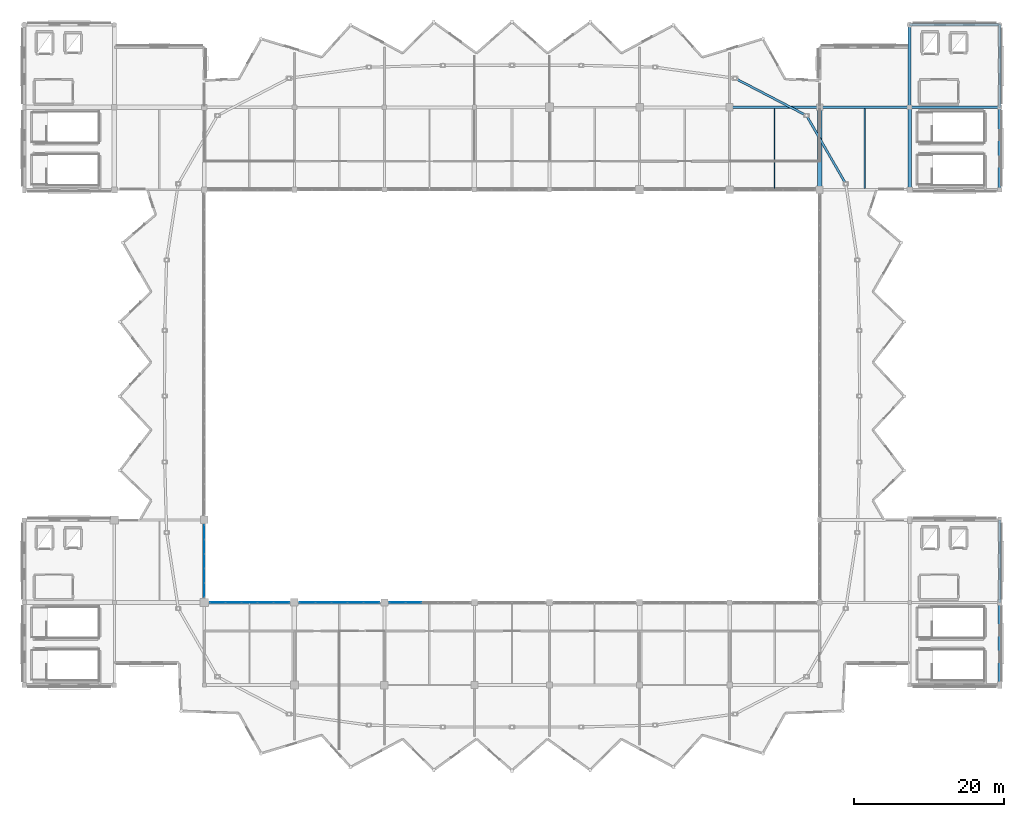
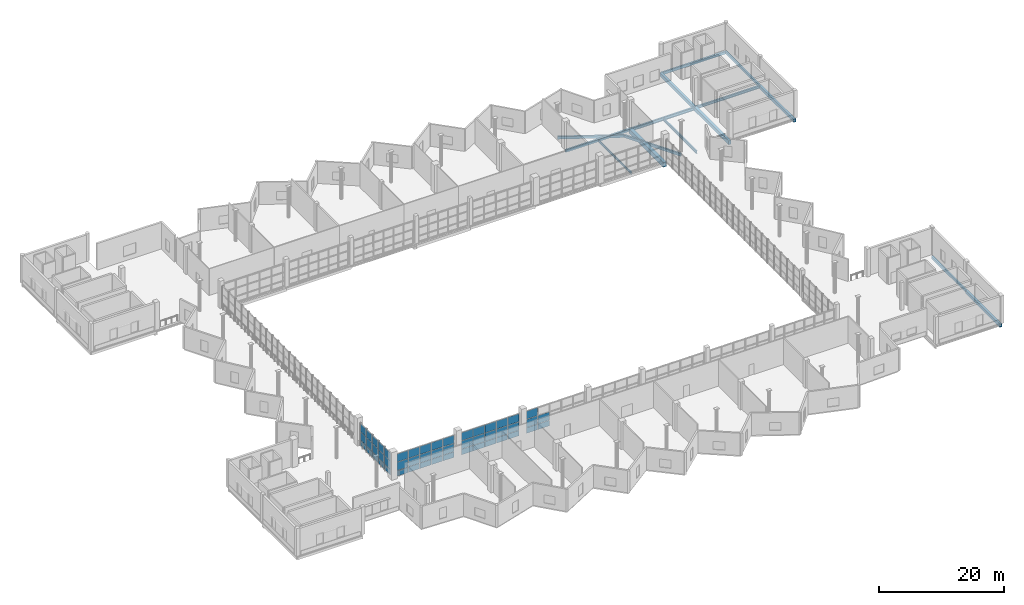
# One storey, part 29 of 49: 50 plates, 15 beams, 4 elements without a shape of their own.
"""IFC4 building model written with IfcOpenShell, lengths in metres."""

from ifc_helpers import new_model, si_unit, direction, frame, origin, origin_2d, place, context, subcontext, project, spatial, rectangle, hollow_rectangle, i_section, extrude, material, layer, layer_set, material_profile, profile_set, type_object, element, aggregate, save


model = new_model("IFC4")

# Units and contexts
model_context = context("Model", 3, precision=1e-05, world=origin(), true_north=direction((0.0, 1.0)))
body_context = subcontext(model_context, "Body", "Model", "MODEL_VIEW")
ifc_project = project(units=[si_unit("LENGTHUNIT", "METRE"), si_unit("AREAUNIT", "SQUARE_METRE"), si_unit("VOLUMEUNIT", "CUBIC_METRE"), si_unit("PLANEANGLEUNIT", "RADIAN"), si_unit("MASSUNIT", "GRAM", prefix="KILO")], contexts=[model_context])

# Site, building, storey
site_placement = place(None, origin())
site = spatial("IfcSite", under=ifc_project, at=site_placement, CompositionType="ELEMENT")
building_placement = place(site_placement, origin())
building = spatial("IfcBuilding", under=site, at=building_placement, Name="Luwafu Chhajja Arena", CompositionType="ELEMENT")
storey_placement = place(building_placement, frame((0.0, 0.0, 24.300048828125)))
storey = spatial("IfcBuildingStorey", under=building, at=storey_placement, Name="L05", CompositionType="ELEMENT", Elevation=24.300048828125)

# Beams
ifc_material_1 = material(Name="Concrete C35/45", Category="concrete")
ifc_material_profile_1 = material_profile(ifc_material_1, rectangle(XDim=0.60009765625, YDim=0.89990234375, at=origin_2d()), Name="RC 600x900")
ifc_profile_set_1 = profile_set([ifc_material_profile_1], Name="Concrete C35/45")
beam_type_1 = type_object("IfcBeamType", Name="Concourse Primary Girder RC 600x900", PredefinedType="BEAM", material=ifc_profile_set_1)
beam_1_placement = place(storey_placement, frame((140.0, 77.0, -0.840087890625), z_axis=(0.0, 1.0, 0.0), x_axis=(-1.0, 0.0, 0.0)))
element("IfcBeam", 1, at=beam_1_placement, inside=storey, type_object=beam_type_1, Name="L05 Grid Beam 13/H-J", PredefinedType="BEAM", context=body_context, shape_type="SweptSolid", body=[
    extrude(rectangle(XDim=0.60009765625, YDim=0.89990234375, at=origin_2d()), origin(), (0.0, 0.0, 1.0), 11.0),
])
ifc_material_2 = material(Name="Steel S355", Category="steel")
ifc_material_profile_2 = material_profile(ifc_material_2, i_section(OverallWidth=0.15283203125, OverallDepth=0.45458984375, WebThickness=0.008056640625, FlangeThickness=0.01318359375, at=origin_2d()), Name="UB 457x152x60")
ifc_profile_set_2 = profile_set([ifc_material_profile_2], Name="Steel S355")
beam_type_2 = type_object("IfcBeamType", Name="Floor Joist UB 457x152x60", PredefinedType="JOIST", material=ifc_profile_set_2)
beam_2_placement = place(storey_placement, frame((134.0, 77.199951171875, -0.617431640625), z_axis=(0.0, 1.0, 0.0), x_axis=(-1.0, 0.0, 0.0)))
element("IfcBeam", 2, at=beam_2_placement, inside=storey, type_object=beam_type_2, Name="L05 Secondary Joist 12-13/H", PredefinedType="JOIST", context=body_context, shape_type="SweptSolid", body=[
    extrude(i_section(OverallWidth=0.15283203125, OverallDepth=0.45458984375, WebThickness=0.008056640625, FlangeThickness=0.01318359375, at=origin_2d()), origin(), (0.0, 0.0, 1.0), 10.650146484375),
])
ifc_material_profile_3 = material_profile(ifc_material_2, i_section(OverallWidth=0.2099609375, OverallDepth=0.53662109375, WebThickness=0.0107421875, FlangeThickness=0.017333984375, at=origin_2d()), Name="UB 533x210x101")
ifc_profile_set_3 = profile_set([ifc_material_profile_3], Name="Steel S355")
beam_type_3 = type_object("IfcBeamType", Name="Floor Joist UB 533x210x101", PredefinedType="JOIST", material=ifc_profile_set_3)
beam_3_placement = place(storey_placement, frame((146.0, 77.14990234375, -0.658447265625), z_axis=(0.0, 1.0, 0.0), x_axis=(-1.0, 0.0, 0.0)))
element("IfcBeam", 3, at=beam_3_placement, inside=storey, type_object=beam_type_3, Name="L05 Secondary Joist 13-14/H", PredefinedType="JOIST", context=body_context, shape_type="SweptSolid", body=[
    extrude(i_section(OverallWidth=0.2099609375, OverallDepth=0.53662109375, WebThickness=0.0107421875, FlangeThickness=0.017333984375, at=origin_2d()), origin(), (0.0, 0.0, 1.0), 10.7001953125),
])
ifc_material_profile_4 = material_profile(ifc_material_2, hollow_rectangle(XDim=0.300048828125, YDim=0.5, WallThickness=0.02001953125, at=origin_2d()), Name="RHS 500x300x20")
ifc_profile_set_4 = profile_set([ifc_material_profile_4], Name="Steel S355")
beam_type_4 = type_object("IfcBeamType", Name="Pleated Drum Spandrel Beam RHS 500x300", PredefinedType="SPANDREL", material=ifc_profile_set_4)
for number, where, z_axis, x_axis, name in (
    (4, (128.0, 88.0, -0.64013671875), (1.0, 0.0, 0.0), (0.0, 1.0, 0.0), "L05 Grid Beam 12-13/J"),
    (5, (152.0, 99.0, -0.64013671875), (1.0, 0.0, 0.0), (0.0, 1.0, 0.0), "L05 Grid Beam 14-15/K"),
):
    element("IfcBeam", number, at=place(storey_placement, frame(where, z_axis=z_axis, x_axis=x_axis)), inside=storey, type_object=beam_type_4, Name=name, PredefinedType="SPANDREL", context=body_context, shape_type="SweptSolid", body=[
        extrude(hollow_rectangle(XDim=0.300048828125, YDim=0.5, WallThickness=0.02001953125, at=origin_2d()), origin(), (0.0, 0.0, 1.0), 12.0),
    ])
for number, where, z_axis, x_axis, name in (
    (6, (164.0, 22.0, -0.64013671875), (0.0, 1.0, 0.0), (-1.0, 0.0, 0.0), "L05 Grid Beam 15/C-D"),
    (7, (164.0, 88.0, -0.64013671875), (0.0, 1.0, 0.0), (-1.0, 0.0, 0.0), "L05 Grid Beam 15/J-K"),
):
    element("IfcBeam", number, at=place(storey_placement, frame(where, z_axis=z_axis, x_axis=x_axis)), inside=storey, type_object=beam_type_4, Name=name, PredefinedType="SPANDREL", context=body_context, shape_type="SweptSolid", body=[
        extrude(hollow_rectangle(XDim=0.300048828125, YDim=0.5, WallThickness=0.02001953125, at=origin_2d()), origin(), (0.0, 0.0, 1.0), 11.0),
    ])
beam_4_placement = place(storey_placement, frame((143.47607421875, 77.805908203125, -0.64013671875), z_axis=(-0.498192671921, 0.867066353657, 0.0), x_axis=(-0.867066353657, -0.498192671921, 0.0)))
element("IfcBeam", 8, at=beam_4_placement, inside=storey, type_object=beam_type_4, Name="L05 Drum Ring Spandrel D04-D05", PredefinedType="SPANDREL", context=body_context, shape_type="SweptSolid", body=[
    extrude(hollow_rectangle(XDim=0.300048828125, YDim=0.5, WallThickness=0.02001953125, at=origin_2d()), origin(), (0.0, 0.0, 1.0), 10.477783203125),
])
beam_5_placement = place(storey_placement, frame((138.256103515625, 86.890869140625, -0.64013671875), z_axis=(-0.886755170812, 0.462239404463, 0.0), x_axis=(-0.462239404463, -0.886755170812, 0.0)))
element("IfcBeam", 9, at=beam_5_placement, inside=storey, type_object=beam_type_4, Name="L05 Drum Ring Spandrel D05-D06", PredefinedType="SPANDREL", context=body_context, shape_type="SweptSolid", body=[
    extrude(hollow_rectangle(XDim=0.300048828125, YDim=0.5, WallThickness=0.02001953125, at=origin_2d()), origin(), (0.0, 0.0, 1.0), 10.756103515625),
])
ifc_material_profile_5 = material_profile(ifc_material_1, rectangle(XDim=0.39990234375, YDim=0.60009765625, at=origin_2d()), Name="RC 400x600")
ifc_profile_set_5 = profile_set([ifc_material_profile_5], Name="Concrete C35/45")
beam_type_5 = type_object("IfcBeamType", Name="Podium Perimeter Spandrel RC 400x600", PredefinedType="SPANDREL", material=ifc_profile_set_5)
for number, where, z_axis, x_axis, name in (
    (10, (164.0, 11.0, -0.68994140625), (0.0, 1.0, 0.0), (-1.0, 0.0, 0.0), "L05 Grid Beam 15/B-C"),
    (11, (164.0, 77.0, -0.68994140625), (0.0, 1.0, 0.0), (-1.0, 0.0, 0.0), "L05 Grid Beam 15/H-J"),
):
    element("IfcBeam", number, at=place(storey_placement, frame(where, z_axis=z_axis, x_axis=x_axis)), inside=storey, type_object=beam_type_5, Name=name, PredefinedType="SPANDREL", context=body_context, shape_type="SweptSolid", body=[
        extrude(rectangle(XDim=0.39990234375, YDim=0.60009765625, at=origin_2d()), origin(), (0.0, 0.0, 1.0), 11.0),
    ])
ifc_material_profile_6 = material_profile(ifc_material_2, i_section(OverallWidth=0.300048828125, OverallDepth=0.5, WebThickness=0.014404296875, FlangeThickness=0.028076171875, at=origin_2d()), Name="HEB 500")
ifc_profile_set_6 = profile_set([ifc_material_profile_6], Name="Steel S355")
beam_type_6 = type_object("IfcBeamType", Name="Steel Atrium Tie Girder HEB 500", PredefinedType="BEAM", material=ifc_profile_set_6)
beam_6_placement = place(storey_placement, frame((152.0, 88.0, -0.64013671875), z_axis=(1.0, 0.0, 0.0), x_axis=(0.0, 1.0, 0.0)))
element("IfcBeam", 12, at=beam_6_placement, inside=storey, type_object=beam_type_6, Name="L05 Grid Beam 14-15/J", PredefinedType="BEAM", context=body_context, shape_type="SweptSolid", body=[
    extrude(i_section(OverallWidth=0.300048828125, OverallDepth=0.5, WebThickness=0.014404296875, FlangeThickness=0.028076171875, at=origin_2d()), origin(), (0.0, 0.0, 1.0), 12.0),
])
ifc_material_profile_7 = material_profile(ifc_material_2, i_section(OverallWidth=0.300048828125, OverallDepth=0.60009765625, WebThickness=0.015380859375, FlangeThickness=0.030029296875, at=origin_2d()), Name="HEB 600")
ifc_profile_set_7 = profile_set([ifc_material_profile_7], Name="Steel S355")
beam_type_7 = type_object("IfcBeamType", Name="Steel Gallery Girder HEB 600", PredefinedType="BEAM", material=ifc_profile_set_7)
beam_7_placement = place(storey_placement, frame((140.0, 88.0, -0.68994140625), z_axis=(1.0, 0.0, 0.0), x_axis=(0.0, 1.0, 0.0)))
element("IfcBeam", 13, at=beam_7_placement, inside=storey, type_object=beam_type_7, Name="L05 Grid Beam 13-14/J", PredefinedType="BEAM", context=body_context, shape_type="SweptSolid", body=[
    extrude(i_section(OverallWidth=0.300048828125, OverallDepth=0.60009765625, WebThickness=0.015380859375, FlangeThickness=0.030029296875, at=origin_2d()), origin(), (0.0, 0.0, 1.0), 12.0),
])
ifc_material_profile_8 = material_profile(ifc_material_1, rectangle(XDim=0.39990234375, YDim=0.699951171875, at=origin_2d()), Name="RC 400x700")
ifc_profile_set_8 = profile_set([ifc_material_profile_8], Name="Concrete C35/45")
beam_type_8 = type_object("IfcBeamType", Name="Wing Frame Beam RC 400x700", PredefinedType="BEAM", material=ifc_profile_set_8)
beam_8_placement = place(storey_placement, frame((152.0, 88.0, -0.739990234375), z_axis=(0.0, 1.0, 0.0), x_axis=(-1.0, 0.0, 0.0)))
element("IfcBeam", 14, at=beam_8_placement, inside=storey, type_object=beam_type_8, Name="L05 Grid Beam 14/J-K", PredefinedType="BEAM", context=body_context, shape_type="SweptSolid", body=[
    extrude(rectangle(XDim=0.39990234375, YDim=0.699951171875, at=origin_2d()), origin(), (0.0, 0.0, 1.0), 11.0),
])
ifc_material_profile_9 = material_profile(ifc_material_1, rectangle(XDim=0.449951171875, YDim=0.75, at=origin_2d()), Name="RC 450x750")
ifc_profile_set_9 = profile_set([ifc_material_profile_9], Name="Concrete C35/45")
beam_type_9 = type_object("IfcBeamType", Name="Wing Primary Beam RC 450x750", PredefinedType="BEAM", material=ifc_profile_set_9)
beam_9_placement = place(storey_placement, frame((152.0, 77.0, -0.76513671875), z_axis=(0.0, 1.0, 0.0), x_axis=(-1.0, 0.0, 0.0)))
element("IfcBeam", 15, at=beam_9_placement, inside=storey, type_object=beam_type_9, Name="L05 Grid Beam 14/H-J", PredefinedType="BEAM", context=body_context, shape_type="SweptSolid", body=[
    extrude(rectangle(XDim=0.449951171875, YDim=0.75, at=origin_2d()), origin(), (0.0, 0.0, 1.0), 11.0),
])

# Curtain wall, plates
ifc_material_3 = material(Name="Anodised bronze aluminium", Category="aluminium")
curtain_wall_type = type_object("IfcCurtainWallType", Name="VIP Club Terrace Curtain Wall", PredefinedType="USERDEFINED", material=ifc_material_3)
curtain_wall_1_placement = place(storey_placement, origin())
curtain_wall_1 = element("IfcCurtainWall", 16, at=curtain_wall_1_placement, inside=storey, type_object=curtain_wall_type, Name="L05 Bowl Viewing Curtain Wall CWR-L05-01", ObjectType="CURTAIN WALL", PredefinedType="USERDEFINED")
ifc_material_4 = material(Name="Solar-control laminated glass", Category="glass")
ifc_layer = layer(ifc_material_4, 0.035888671875, Name="Solar-control laminated glass")
ifc_layer_set = layer_set([ifc_layer], Name="Solar-control laminated glass")
plate_type = type_object("IfcPlateType", Name="Acoustic Broadcast Double Glazed CW Panel 36", PredefinedType="CURTAIN_PANEL", material=ifc_layer_set)
plate_1_placement = place(storey_placement, frame((59.773193359375, 22.0, 0.06494140625), z_axis=(0.0, 0.0, 1.0), x_axis=(1.0, 0.0, 0.0)))
plate_1 = element("IfcPlate", 17, at=plate_1_placement, type_object=plate_type, Name="CW-10 panel 1.1", PredefinedType="CURTAIN_PANEL", context=body_context, shape_type="SweptSolid", body=[
    extrude(rectangle(XDim=2.03662109375, YDim=0.035888671875, at=origin_2d()), origin(), (0.0, 0.0, 1.0), 1.052490234375),
])
plate_2_placement = place(storey_placement, frame((59.773193359375, 22.0, 1.182373046875), z_axis=(0.0, 0.0, 1.0), x_axis=(1.0, 0.0, 0.0)))
plate_2 = element("IfcPlate", 18, at=plate_2_placement, type_object=plate_type, Name="CW-10 panel 1.2", PredefinedType="CURTAIN_PANEL", context=body_context, shape_type="SweptSolid", body=[
    extrude(rectangle(XDim=2.03662109375, YDim=0.035888671875, at=origin_2d()), origin(), (0.0, 0.0, 1.0), 1.5849609375),
])
plate_3_placement = place(storey_placement, frame((59.773193359375, 22.0, 2.83251953125), z_axis=(0.0, 0.0, 1.0), x_axis=(1.0, 0.0, 0.0)))
plate_3 = element("IfcPlate", 19, at=plate_3_placement, type_object=plate_type, Name="CW-10 panel 1.3", PredefinedType="CURTAIN_PANEL", context=body_context, shape_type="SweptSolid", body=[
    extrude(rectangle(XDim=2.03662109375, YDim=0.035888671875, at=origin_2d()), origin(), (0.0, 0.0, 1.0), 1.552490234375),
])
plate_4_placement = place(storey_placement, frame((61.89111328125, 22.0, 0.06494140625), z_axis=(0.0, 0.0, 1.0), x_axis=(1.0, 0.0, 0.0)))
plate_4 = element("IfcPlate", 20, at=plate_4_placement, type_object=plate_type, Name="CW-10 panel 2.1", PredefinedType="CURTAIN_PANEL", context=body_context, shape_type="SweptSolid", body=[
    extrude(rectangle(XDim=2.069091796875, YDim=0.035888671875, at=origin_2d()), origin(), (0.0, 0.0, 1.0), 1.052490234375),
])
plate_5_placement = place(storey_placement, frame((61.89111328125, 22.0, 1.182373046875), z_axis=(0.0, 0.0, 1.0), x_axis=(1.0, 0.0, 0.0)))
plate_5 = element("IfcPlate", 21, at=plate_5_placement, type_object=plate_type, Name="CW-10 panel 2.2", PredefinedType="CURTAIN_PANEL", context=body_context, shape_type="SweptSolid", body=[
    extrude(rectangle(XDim=2.069091796875, YDim=0.035888671875, at=origin_2d()), origin(), (0.0, 0.0, 1.0), 1.5849609375),
])
plate_6_placement = place(storey_placement, frame((61.89111328125, 22.0, 2.83251953125), z_axis=(0.0, 0.0, 1.0), x_axis=(1.0, 0.0, 0.0)))
plate_6 = element("IfcPlate", 22, at=plate_6_placement, type_object=plate_type, Name="CW-10 panel 2.3", PredefinedType="CURTAIN_PANEL", context=body_context, shape_type="SweptSolid", body=[
    extrude(rectangle(XDim=2.069091796875, YDim=0.035888671875, at=origin_2d()), origin(), (0.0, 0.0, 1.0), 1.552490234375),
])
plate_7_placement = place(storey_placement, frame((64.02490234375, 22.0, 0.06494140625), z_axis=(0.0, 0.0, 1.0), x_axis=(1.0, 0.0, 0.0)))
plate_7 = element("IfcPlate", 23, at=plate_7_placement, type_object=plate_type, Name="CW-10 panel 3.1", PredefinedType="CURTAIN_PANEL", context=body_context, shape_type="SweptSolid", body=[
    extrude(rectangle(XDim=2.069091796875, YDim=0.035888671875, at=origin_2d()), origin(), (0.0, 0.0, 1.0), 1.052490234375),
])
plate_8_placement = place(storey_placement, frame((64.02490234375, 22.0, 1.182373046875), z_axis=(0.0, 0.0, 1.0), x_axis=(1.0, 0.0, 0.0)))
plate_8 = element("IfcPlate", 24, at=plate_8_placement, type_object=plate_type, Name="CW-10 panel 3.2", PredefinedType="CURTAIN_PANEL", context=body_context, shape_type="SweptSolid", body=[
    extrude(rectangle(XDim=2.069091796875, YDim=0.035888671875, at=origin_2d()), origin(), (0.0, 0.0, 1.0), 1.5849609375),
])
plate_9_placement = place(storey_placement, frame((64.02490234375, 22.0, 2.83251953125), z_axis=(0.0, 0.0, 1.0), x_axis=(1.0, 0.0, 0.0)))
plate_9 = element("IfcPlate", 25, at=plate_9_placement, type_object=plate_type, Name="CW-10 panel 3.3", PredefinedType="CURTAIN_PANEL", context=body_context, shape_type="SweptSolid", body=[
    extrude(rectangle(XDim=2.069091796875, YDim=0.035888671875, at=origin_2d()), origin(), (0.0, 0.0, 1.0), 1.552490234375),
])
plate_10_placement = place(storey_placement, frame((66.158935546875, 22.0, 0.06494140625), z_axis=(0.0, 0.0, 1.0), x_axis=(1.0, 0.0, 0.0)))
plate_10 = element("IfcPlate", 26, at=plate_10_placement, type_object=plate_type, Name="CW-10 panel 4.1", PredefinedType="CURTAIN_PANEL", context=body_context, shape_type="SweptSolid", body=[
    extrude(rectangle(XDim=2.069091796875, YDim=0.035888671875, at=origin_2d()), origin(), (0.0, 0.0, 1.0), 1.052490234375),
])
plate_11_placement = place(storey_placement, frame((66.158935546875, 22.0, 1.182373046875), z_axis=(0.0, 0.0, 1.0), x_axis=(1.0, 0.0, 0.0)))
plate_11 = element("IfcPlate", 27, at=plate_11_placement, type_object=plate_type, Name="CW-10 panel 4.2", PredefinedType="CURTAIN_PANEL", context=body_context, shape_type="SweptSolid", body=[
    extrude(rectangle(XDim=2.069091796875, YDim=0.035888671875, at=origin_2d()), origin(), (0.0, 0.0, 1.0), 1.5849609375),
])
plate_12_placement = place(storey_placement, frame((66.158935546875, 22.0, 2.83251953125), z_axis=(0.0, 0.0, 1.0), x_axis=(1.0, 0.0, 0.0)))
plate_12 = element("IfcPlate", 28, at=plate_12_placement, type_object=plate_type, Name="CW-10 panel 4.3", PredefinedType="CURTAIN_PANEL", context=body_context, shape_type="SweptSolid", body=[
    extrude(rectangle(XDim=2.069091796875, YDim=0.035888671875, at=origin_2d()), origin(), (0.0, 0.0, 1.0), 1.552490234375),
])
plate_13_placement = place(storey_placement, frame((68.27685546875, 22.0, 0.06494140625), z_axis=(0.0, 0.0, 1.0), x_axis=(1.0, 0.0, 0.0)))
plate_13 = element("IfcPlate", 29, at=plate_13_placement, type_object=plate_type, Name="CW-10 panel 5.1", PredefinedType="CURTAIN_PANEL", context=body_context, shape_type="SweptSolid", body=[
    extrude(rectangle(XDim=2.03662109375, YDim=0.035888671875, at=origin_2d()), origin(), (0.0, 0.0, 1.0), 1.052490234375),
])
plate_14_placement = place(storey_placement, frame((68.27685546875, 22.0, 1.182373046875), z_axis=(0.0, 0.0, 1.0), x_axis=(1.0, 0.0, 0.0)))
plate_14 = element("IfcPlate", 30, at=plate_14_placement, type_object=plate_type, Name="CW-10 panel 5.2", PredefinedType="CURTAIN_PANEL", context=body_context, shape_type="SweptSolid", body=[
    extrude(rectangle(XDim=2.03662109375, YDim=0.035888671875, at=origin_2d()), origin(), (0.0, 0.0, 1.0), 1.5849609375),
])
plate_15_placement = place(storey_placement, frame((68.27685546875, 22.0, 2.83251953125), z_axis=(0.0, 0.0, 1.0), x_axis=(1.0, 0.0, 0.0)))
plate_15 = element("IfcPlate", 31, at=plate_15_placement, type_object=plate_type, Name="CW-10 panel 5.3", PredefinedType="CURTAIN_PANEL", context=body_context, shape_type="SweptSolid", body=[
    extrude(rectangle(XDim=2.03662109375, YDim=0.035888671875, at=origin_2d()), origin(), (0.0, 0.0, 1.0), 1.552490234375),
])
aggregate(curtain_wall_1, [plate_1, plate_2, plate_3, plate_4, plate_5, plate_6, plate_7, plate_8, plate_9, plate_10, plate_11, plate_12, plate_13, plate_14, plate_15])

curtain_wall_2_placement = place(storey_placement, origin())
curtain_wall_2 = element("IfcCurtainWall", 32, at=curtain_wall_2_placement, inside=storey, type_object=curtain_wall_type, Name="L05 Bowl Viewing Curtain Wall CWR-L05-02", ObjectType="CURTAIN WALL", PredefinedType="USERDEFINED")
plate_16_placement = place(storey_placement, frame((71.730712890625, 22.0, 0.06494140625), z_axis=(0.0, 0.0, 1.0), x_axis=(1.0, 0.0, 0.0)))
plate_16 = element("IfcPlate", 33, at=plate_16_placement, type_object=plate_type, Name="CW-10 panel 1.1", PredefinedType="CURTAIN_PANEL", context=body_context, shape_type="SweptSolid", body=[
    extrude(rectangle(XDim=2.051513671875, YDim=0.035888671875, at=origin_2d()), origin(), (0.0, 0.0, 1.0), 1.052490234375),
])
plate_17_placement = place(storey_placement, frame((71.730712890625, 22.0, 1.182373046875), z_axis=(0.0, 0.0, 1.0), x_axis=(1.0, 0.0, 0.0)))
plate_17 = element("IfcPlate", 34, at=plate_17_placement, type_object=plate_type, Name="CW-10 panel 1.2", PredefinedType="CURTAIN_PANEL", context=body_context, shape_type="SweptSolid", body=[
    extrude(rectangle(XDim=2.051513671875, YDim=0.035888671875, at=origin_2d()), origin(), (0.0, 0.0, 1.0), 1.5849609375),
])
plate_18_placement = place(storey_placement, frame((71.730712890625, 22.0, 2.83251953125), z_axis=(0.0, 0.0, 1.0), x_axis=(1.0, 0.0, 0.0)))
plate_18 = element("IfcPlate", 35, at=plate_18_placement, type_object=plate_type, Name="CW-10 panel 1.3", PredefinedType="CURTAIN_PANEL", context=body_context, shape_type="SweptSolid", body=[
    extrude(rectangle(XDim=2.051513671875, YDim=0.035888671875, at=origin_2d()), origin(), (0.0, 0.0, 1.0), 1.552490234375),
])
plate_19_placement = place(storey_placement, frame((73.863525390625, 22.0, 0.06494140625), z_axis=(0.0, 0.0, 1.0), x_axis=(1.0, 0.0, 0.0)))
plate_19 = element("IfcPlate", 36, at=plate_19_placement, type_object=plate_type, Name="CW-10 panel 2.1", PredefinedType="CURTAIN_PANEL", context=body_context, shape_type="SweptSolid", body=[
    extrude(rectangle(XDim=2.083984375, YDim=0.035888671875, at=origin_2d()), origin(), (0.0, 0.0, 1.0), 1.052490234375),
])
plate_20_placement = place(storey_placement, frame((73.863525390625, 22.0, 1.182373046875), z_axis=(0.0, 0.0, 1.0), x_axis=(1.0, 0.0, 0.0)))
plate_20 = element("IfcPlate", 37, at=plate_20_placement, type_object=plate_type, Name="CW-10 panel 2.2", PredefinedType="CURTAIN_PANEL", context=body_context, shape_type="SweptSolid", body=[
    extrude(rectangle(XDim=2.083984375, YDim=0.035888671875, at=origin_2d()), origin(), (0.0, 0.0, 1.0), 1.5849609375),
])
plate_21_placement = place(storey_placement, frame((73.863525390625, 22.0, 2.83251953125), z_axis=(0.0, 0.0, 1.0), x_axis=(1.0, 0.0, 0.0)))
plate_21 = element("IfcPlate", 38, at=plate_21_placement, type_object=plate_type, Name="CW-10 panel 2.3", PredefinedType="CURTAIN_PANEL", context=body_context, shape_type="SweptSolid", body=[
    extrude(rectangle(XDim=2.083984375, YDim=0.035888671875, at=origin_2d()), origin(), (0.0, 0.0, 1.0), 1.552490234375),
])
plate_22_placement = place(storey_placement, frame((76.012451171875, 22.0, 0.06494140625), z_axis=(0.0, 0.0, 1.0), x_axis=(1.0, 0.0, 0.0)))
plate_22 = element("IfcPlate", 39, at=plate_22_placement, type_object=plate_type, Name="CW-10 panel 3.1", PredefinedType="CURTAIN_PANEL", context=body_context, shape_type="SweptSolid", body=[
    extrude(rectangle(XDim=2.083984375, YDim=0.035888671875, at=origin_2d()), origin(), (0.0, 0.0, 1.0), 1.052490234375),
])
plate_23_placement = place(storey_placement, frame((76.012451171875, 22.0, 1.182373046875), z_axis=(0.0, 0.0, 1.0), x_axis=(1.0, 0.0, 0.0)))
plate_23 = element("IfcPlate", 40, at=plate_23_placement, type_object=plate_type, Name="CW-10 panel 3.2", PredefinedType="CURTAIN_PANEL", context=body_context, shape_type="SweptSolid", body=[
    extrude(rectangle(XDim=2.083984375, YDim=0.035888671875, at=origin_2d()), origin(), (0.0, 0.0, 1.0), 1.5849609375),
])
plate_24_placement = place(storey_placement, frame((76.012451171875, 22.0, 2.83251953125), z_axis=(0.0, 0.0, 1.0), x_axis=(1.0, 0.0, 0.0)))
plate_24 = element("IfcPlate", 41, at=plate_24_placement, type_object=plate_type, Name="CW-10 panel 3.3", PredefinedType="CURTAIN_PANEL", context=body_context, shape_type="SweptSolid", body=[
    extrude(rectangle(XDim=2.083984375, YDim=0.035888671875, at=origin_2d()), origin(), (0.0, 0.0, 1.0), 1.552490234375),
])
plate_25_placement = place(storey_placement, frame((78.16162109375, 22.0, 0.06494140625), z_axis=(0.0, 0.0, 1.0), x_axis=(1.0, 0.0, 0.0)))
plate_25 = element("IfcPlate", 42, at=plate_25_placement, type_object=plate_type, Name="CW-10 panel 4.1", PredefinedType="CURTAIN_PANEL", context=body_context, shape_type="SweptSolid", body=[
    extrude(rectangle(XDim=2.083984375, YDim=0.035888671875, at=origin_2d()), origin(), (0.0, 0.0, 1.0), 1.052490234375),
])
plate_26_placement = place(storey_placement, frame((78.16162109375, 22.0, 1.182373046875), z_axis=(0.0, 0.0, 1.0), x_axis=(1.0, 0.0, 0.0)))
plate_26 = element("IfcPlate", 43, at=plate_26_placement, type_object=plate_type, Name="CW-10 panel 4.2", PredefinedType="CURTAIN_PANEL", context=body_context, shape_type="SweptSolid", body=[
    extrude(rectangle(XDim=2.083984375, YDim=0.035888671875, at=origin_2d()), origin(), (0.0, 0.0, 1.0), 1.5849609375),
])
plate_27_placement = place(storey_placement, frame((78.16162109375, 22.0, 2.83251953125), z_axis=(0.0, 0.0, 1.0), x_axis=(1.0, 0.0, 0.0)))
plate_27 = element("IfcPlate", 44, at=plate_27_placement, type_object=plate_type, Name="CW-10 panel 4.3", PredefinedType="CURTAIN_PANEL", context=body_context, shape_type="SweptSolid", body=[
    extrude(rectangle(XDim=2.083984375, YDim=0.035888671875, at=origin_2d()), origin(), (0.0, 0.0, 1.0), 1.552490234375),
])
plate_28_placement = place(storey_placement, frame((80.294189453125, 22.0, 0.06494140625), z_axis=(0.0, 0.0, 1.0), x_axis=(1.0, 0.0, 0.0)))
plate_28 = element("IfcPlate", 45, at=plate_28_placement, type_object=plate_type, Name="CW-10 panel 5.1", PredefinedType="CURTAIN_PANEL", context=body_context, shape_type="SweptSolid", body=[
    extrude(rectangle(XDim=2.051513671875, YDim=0.035888671875, at=origin_2d()), origin(), (0.0, 0.0, 1.0), 1.052490234375),
])
plate_29_placement = place(storey_placement, frame((80.294189453125, 22.0, 1.182373046875), z_axis=(0.0, 0.0, 1.0), x_axis=(1.0, 0.0, 0.0)))
plate_29 = element("IfcPlate", 46, at=plate_29_placement, type_object=plate_type, Name="CW-10 panel 5.2", PredefinedType="CURTAIN_PANEL", context=body_context, shape_type="SweptSolid", body=[
    extrude(rectangle(XDim=2.051513671875, YDim=0.035888671875, at=origin_2d()), origin(), (0.0, 0.0, 1.0), 1.5849609375),
])
plate_30_placement = place(storey_placement, frame((80.294189453125, 22.0, 2.83251953125), z_axis=(0.0, 0.0, 1.0), x_axis=(1.0, 0.0, 0.0)))
plate_30 = element("IfcPlate", 47, at=plate_30_placement, type_object=plate_type, Name="CW-10 panel 5.3", PredefinedType="CURTAIN_PANEL", context=body_context, shape_type="SweptSolid", body=[
    extrude(rectangle(XDim=2.051513671875, YDim=0.035888671875, at=origin_2d()), origin(), (0.0, 0.0, 1.0), 1.552490234375),
])
aggregate(curtain_wall_2, [plate_16, plate_17, plate_18, plate_19, plate_20, plate_21, plate_22, plate_23, plate_24, plate_25, plate_26, plate_27, plate_28, plate_29, plate_30])

curtain_wall_3_placement = place(storey_placement, origin())
curtain_wall_3 = element("IfcCurtainWall", 48, at=curtain_wall_3_placement, inside=storey, type_object=curtain_wall_type, Name="L05 Bowl Viewing Curtain Wall CWR-L05-03", ObjectType="CURTAIN WALL", PredefinedType="USERDEFINED")
plate_31_placement = place(storey_placement, frame((83.713134765625, 22.0, 0.06494140625), z_axis=(0.0, 0.0, 1.0), x_axis=(1.0, 0.0, 0.0)))
plate_31 = element("IfcPlate", 49, at=plate_31_placement, type_object=plate_type, Name="CW-10 panel 1.1", PredefinedType="CURTAIN_PANEL", context=body_context, shape_type="SweptSolid", body=[
    extrude(rectangle(XDim=2.06640625, YDim=0.035888671875, at=origin_2d()), origin(), (0.0, 0.0, 1.0), 1.052490234375),
])
plate_32_placement = place(storey_placement, frame((83.713134765625, 22.0, 1.182373046875), z_axis=(0.0, 0.0, 1.0), x_axis=(1.0, 0.0, 0.0)))
plate_32 = element("IfcPlate", 50, at=plate_32_placement, type_object=plate_type, Name="CW-10 panel 1.2", PredefinedType="CURTAIN_PANEL", context=body_context, shape_type="SweptSolid", body=[
    extrude(rectangle(XDim=2.06640625, YDim=0.035888671875, at=origin_2d()), origin(), (0.0, 0.0, 1.0), 1.5849609375),
])
plate_33_placement = place(storey_placement, frame((83.713134765625, 22.0, 2.83251953125), z_axis=(0.0, 0.0, 1.0), x_axis=(1.0, 0.0, 0.0)))
plate_33 = element("IfcPlate", 51, at=plate_33_placement, type_object=plate_type, Name="CW-10 panel 1.3", PredefinedType="CURTAIN_PANEL", context=body_context, shape_type="SweptSolid", body=[
    extrude(rectangle(XDim=2.06640625, YDim=0.035888671875, at=origin_2d()), origin(), (0.0, 0.0, 1.0), 1.552490234375),
])
plate_34_placement = place(storey_placement, frame((85.861083984375, 22.0, 0.06494140625), z_axis=(0.0, 0.0, 1.0), x_axis=(1.0, 0.0, 0.0)))
plate_34 = element("IfcPlate", 52, at=plate_34_placement, type_object=plate_type, Name="CW-10 panel 2.1", PredefinedType="CURTAIN_PANEL", context=body_context, shape_type="SweptSolid", body=[
    extrude(rectangle(XDim=2.09912109375, YDim=0.035888671875, at=origin_2d()), origin(), (0.0, 0.0, 1.0), 1.052490234375),
])
plate_35_placement = place(storey_placement, frame((85.861083984375, 22.0, 1.182373046875), z_axis=(0.0, 0.0, 1.0), x_axis=(1.0, 0.0, 0.0)))
plate_35 = element("IfcPlate", 53, at=plate_35_placement, type_object=plate_type, Name="CW-10 panel 2.2", PredefinedType="CURTAIN_PANEL", context=body_context, shape_type="SweptSolid", body=[
    extrude(rectangle(XDim=2.09912109375, YDim=0.035888671875, at=origin_2d()), origin(), (0.0, 0.0, 1.0), 1.5849609375),
])
aggregate(curtain_wall_3, [plate_31, plate_32, plate_33, plate_34, plate_35])

curtain_wall_4_placement = place(storey_placement, origin())
curtain_wall_4 = element("IfcCurtainWall", 54, at=curtain_wall_4_placement, inside=storey, type_object=curtain_wall_type, Name="L05 Bowl Viewing Curtain Wall CWR-L05-15", ObjectType="CURTAIN WALL", PredefinedType="USERDEFINED")
plate_36_placement = place(storey_placement, frame((58.0, 23.67333984375, 0.06494140625), z_axis=(0.0, 0.0, 1.0), x_axis=(0.0, 1.0, 0.0)))
plate_36 = element("IfcPlate", 55, at=plate_36_placement, type_object=plate_type, Name="CW-10 panel 1.1", PredefinedType="CURTAIN_PANEL", context=body_context, shape_type="SweptSolid", body=[
    extrude(rectangle(XDim=1.83642578125, YDim=0.035888671875, at=origin_2d()), origin(), (0.0, 0.0, 1.0), 1.052490234375),
])
plate_37_placement = place(storey_placement, frame((58.0, 23.67333984375, 1.182373046875), z_axis=(0.0, 0.0, 1.0), x_axis=(0.0, 1.0, 0.0)))
plate_37 = element("IfcPlate", 56, at=plate_37_placement, type_object=plate_type, Name="CW-10 panel 1.2", PredefinedType="CURTAIN_PANEL", context=body_context, shape_type="SweptSolid", body=[
    extrude(rectangle(XDim=1.83642578125, YDim=0.035888671875, at=origin_2d()), origin(), (0.0, 0.0, 1.0), 1.5849609375),
])
plate_38_placement = place(storey_placement, frame((58.0, 23.67333984375, 2.83251953125), z_axis=(0.0, 0.0, 1.0), x_axis=(0.0, 1.0, 0.0)))
plate_38 = element("IfcPlate", 57, at=plate_38_placement, type_object=plate_type, Name="CW-10 panel 1.3", PredefinedType="CURTAIN_PANEL", context=body_context, shape_type="SweptSolid", body=[
    extrude(rectangle(XDim=1.83642578125, YDim=0.035888671875, at=origin_2d()), origin(), (0.0, 0.0, 1.0), 1.552490234375),
])
plate_39_placement = place(storey_placement, frame((58.0, 25.591064453125, 0.06494140625), z_axis=(0.0, 0.0, 1.0), x_axis=(0.0, 1.0, 0.0)))
plate_39 = element("IfcPlate", 58, at=plate_39_placement, type_object=plate_type, Name="CW-10 panel 2.1", PredefinedType="CURTAIN_PANEL", context=body_context, shape_type="SweptSolid", body=[
    extrude(rectangle(XDim=1.868896484375, YDim=0.035888671875, at=origin_2d()), origin(), (0.0, 0.0, 1.0), 1.052490234375),
])
plate_40_placement = place(storey_placement, frame((58.0, 25.591064453125, 1.182373046875), z_axis=(0.0, 0.0, 1.0), x_axis=(0.0, 1.0, 0.0)))
plate_40 = element("IfcPlate", 59, at=plate_40_placement, type_object=plate_type, Name="CW-10 panel 2.2", PredefinedType="CURTAIN_PANEL", context=body_context, shape_type="SweptSolid", body=[
    extrude(rectangle(XDim=1.868896484375, YDim=0.035888671875, at=origin_2d()), origin(), (0.0, 0.0, 1.0), 1.5849609375),
])
plate_41_placement = place(storey_placement, frame((58.0, 25.591064453125, 2.83251953125), z_axis=(0.0, 0.0, 1.0), x_axis=(0.0, 1.0, 0.0)))
plate_41 = element("IfcPlate", 60, at=plate_41_placement, type_object=plate_type, Name="CW-10 panel 2.3", PredefinedType="CURTAIN_PANEL", context=body_context, shape_type="SweptSolid", body=[
    extrude(rectangle(XDim=1.868896484375, YDim=0.035888671875, at=origin_2d()), origin(), (0.0, 0.0, 1.0), 1.552490234375),
])
plate_42_placement = place(storey_placement, frame((58.0, 27.52490234375, 0.06494140625), z_axis=(0.0, 0.0, 1.0), x_axis=(0.0, 1.0, 0.0)))
plate_42 = element("IfcPlate", 61, at=plate_42_placement, type_object=plate_type, Name="CW-10 panel 3.1", PredefinedType="CURTAIN_PANEL", context=body_context, shape_type="SweptSolid", body=[
    extrude(rectangle(XDim=1.868896484375, YDim=0.035888671875, at=origin_2d()), origin(), (0.0, 0.0, 1.0), 1.052490234375),
])
plate_43_placement = place(storey_placement, frame((58.0, 27.52490234375, 1.182373046875), z_axis=(0.0, 0.0, 1.0), x_axis=(0.0, 1.0, 0.0)))
plate_43 = element("IfcPlate", 62, at=plate_43_placement, type_object=plate_type, Name="CW-10 panel 3.2", PredefinedType="CURTAIN_PANEL", context=body_context, shape_type="SweptSolid", body=[
    extrude(rectangle(XDim=1.868896484375, YDim=0.035888671875, at=origin_2d()), origin(), (0.0, 0.0, 1.0), 1.5849609375),
])
plate_44_placement = place(storey_placement, frame((58.0, 27.52490234375, 2.83251953125), z_axis=(0.0, 0.0, 1.0), x_axis=(0.0, 1.0, 0.0)))
plate_44 = element("IfcPlate", 63, at=plate_44_placement, type_object=plate_type, Name="CW-10 panel 3.3", PredefinedType="CURTAIN_PANEL", context=body_context, shape_type="SweptSolid", body=[
    extrude(rectangle(XDim=1.868896484375, YDim=0.035888671875, at=origin_2d()), origin(), (0.0, 0.0, 1.0), 1.552490234375),
])
plate_45_placement = place(storey_placement, frame((58.0, 29.458984375, 0.06494140625), z_axis=(0.0, 0.0, 1.0), x_axis=(0.0, 1.0, 0.0)))
plate_45 = element("IfcPlate", 64, at=plate_45_placement, type_object=plate_type, Name="CW-10 panel 4.1", PredefinedType="CURTAIN_PANEL", context=body_context, shape_type="SweptSolid", body=[
    extrude(rectangle(XDim=1.868896484375, YDim=0.035888671875, at=origin_2d()), origin(), (0.0, 0.0, 1.0), 1.052490234375),
])
plate_46_placement = place(storey_placement, frame((58.0, 29.458984375, 1.182373046875), z_axis=(0.0, 0.0, 1.0), x_axis=(0.0, 1.0, 0.0)))
plate_46 = element("IfcPlate", 65, at=plate_46_placement, type_object=plate_type, Name="CW-10 panel 4.2", PredefinedType="CURTAIN_PANEL", context=body_context, shape_type="SweptSolid", body=[
    extrude(rectangle(XDim=1.868896484375, YDim=0.035888671875, at=origin_2d()), origin(), (0.0, 0.0, 1.0), 1.5849609375),
])
plate_47_placement = place(storey_placement, frame((58.0, 29.458984375, 2.83251953125), z_axis=(0.0, 0.0, 1.0), x_axis=(0.0, 1.0, 0.0)))
plate_47 = element("IfcPlate", 66, at=plate_47_placement, type_object=plate_type, Name="CW-10 panel 4.3", PredefinedType="CURTAIN_PANEL", context=body_context, shape_type="SweptSolid", body=[
    extrude(rectangle(XDim=1.868896484375, YDim=0.035888671875, at=origin_2d()), origin(), (0.0, 0.0, 1.0), 1.552490234375),
])
plate_48_placement = place(storey_placement, frame((58.0, 31.376708984375, 0.06494140625), z_axis=(0.0, 0.0, 1.0), x_axis=(0.0, 1.0, 0.0)))
plate_48 = element("IfcPlate", 67, at=plate_48_placement, type_object=plate_type, Name="CW-10 panel 5.1", PredefinedType="CURTAIN_PANEL", context=body_context, shape_type="SweptSolid", body=[
    extrude(rectangle(XDim=1.83642578125, YDim=0.035888671875, at=origin_2d()), origin(), (0.0, 0.0, 1.0), 1.052490234375),
])
plate_49_placement = place(storey_placement, frame((58.0, 31.376708984375, 1.182373046875), z_axis=(0.0, 0.0, 1.0), x_axis=(0.0, 1.0, 0.0)))
plate_49 = element("IfcPlate", 68, at=plate_49_placement, type_object=plate_type, Name="CW-10 panel 5.2", PredefinedType="CURTAIN_PANEL", context=body_context, shape_type="SweptSolid", body=[
    extrude(rectangle(XDim=1.83642578125, YDim=0.035888671875, at=origin_2d()), origin(), (0.0, 0.0, 1.0), 1.5849609375),
])
plate_50_placement = place(storey_placement, frame((58.0, 31.376708984375, 2.83251953125), z_axis=(0.0, 0.0, 1.0), x_axis=(0.0, 1.0, 0.0)))
plate_50 = element("IfcPlate", 69, at=plate_50_placement, type_object=plate_type, Name="CW-10 panel 5.3", PredefinedType="CURTAIN_PANEL", context=body_context, shape_type="SweptSolid", body=[
    extrude(rectangle(XDim=1.83642578125, YDim=0.035888671875, at=origin_2d()), origin(), (0.0, 0.0, 1.0), 1.552490234375),
])
aggregate(curtain_wall_4, [plate_36, plate_37, plate_38, plate_39, plate_40, plate_41, plate_42, plate_43, plate_44, plate_45, plate_46, plate_47, plate_48, plate_49, plate_50])

save(model, "model.ifc")
